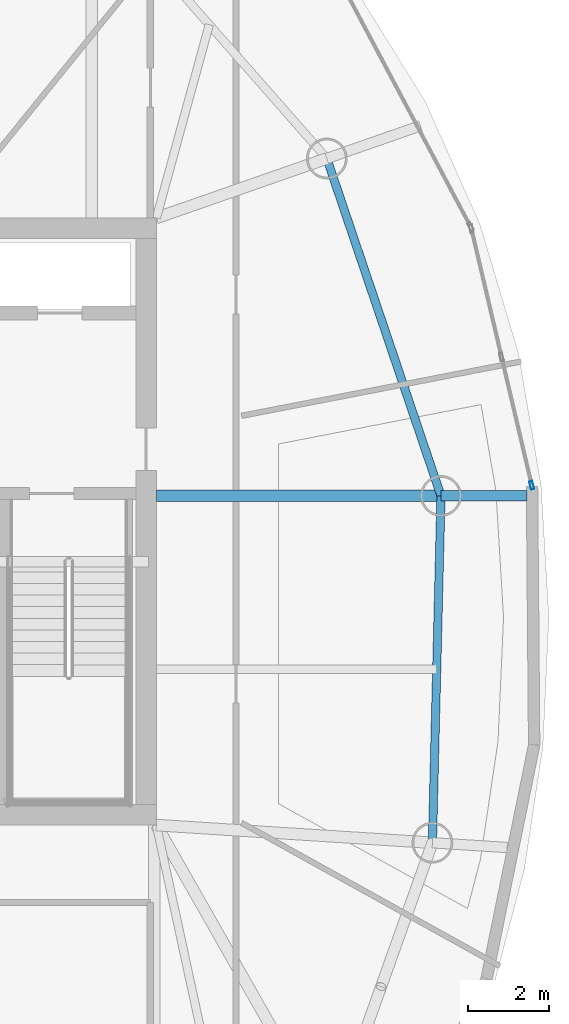
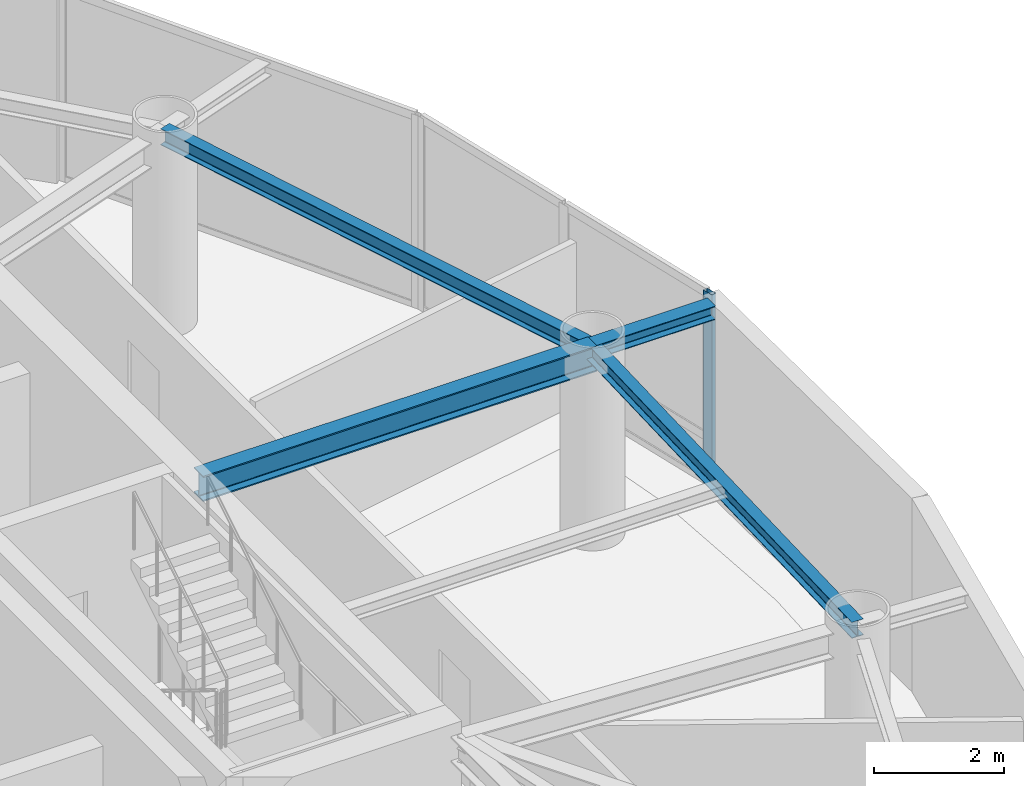
# One storey, part 9 of 21: 4 beams, 1 member, 1 element without a shape of its own.
"""IFC4 building model written with IfcOpenShell, lengths in metres."""

from ifc_helpers import new_model, si_unit, direction, frame, origin, origin_2d, place, context, subcontext, project, spatial, hollow_rectangle, i_section, extrude, material, layer, layer_set, material_profile, profile_set, type_object, element, aggregate, save


model = new_model("IFC4")

# Units and contexts
model_context = context("Model", 3, precision=1e-05, world=origin(), true_north=direction((0.0, 1.0)))
body_context = subcontext(model_context, "Body", "Model", "MODEL_VIEW")
ifc_project = project(units=[si_unit("LENGTHUNIT", "METRE"), si_unit("AREAUNIT", "SQUARE_METRE"), si_unit("VOLUMEUNIT", "CUBIC_METRE"), si_unit("PLANEANGLEUNIT", "RADIAN"), si_unit("MASSUNIT", "GRAM", prefix="KILO")], contexts=[model_context])

# Site, building, storey
site_placement = place(None, origin())
site = spatial("IfcSite", under=ifc_project, at=site_placement, CompositionType="ELEMENT")
building_placement = place(site_placement, origin())
building = spatial("IfcBuilding", under=site, at=building_placement, Name="Bramvorn Convention Spire", CompositionType="ELEMENT")
storey_placement = place(building_placement, frame((0.0, 0.0, 249.75)))
storey = spatial("IfcBuildingStorey", under=building, at=storey_placement, Name="L63", CompositionType="ELEMENT", Elevation=249.75)

# Beams
ifc_material_1 = material(Name="Steel CSA G40.21 Grade 350 (350W)", Category="steel")
ifc_material_profile_1 = material_profile(ifc_material_1, i_section(OverallWidth=0.25390625, OverallDepth=0.2529296875, WebThickness=0.008544921875, FlangeThickness=0.01416015625, FilletRadius=0.011962890625, at=origin_2d()))
ifc_profile_set_1 = profile_set([ifc_material_profile_1], Name="Steel CSA G40.21 Grade 350 (350W) - W250X73")
beam_type_1 = type_object("IfcBeamType", Name="BM-W250X73", PredefinedType="BEAM", material=ifc_profile_set_1)
beam_1_placement = place(storey_placement, frame((56.234619140625, 26.62939453125, 3.49853515625), z_axis=(1.0, 0.0, 0.0), x_axis=(0.0, 1.0, 0.0)))
element("IfcBeam", 1, at=beam_1_placement, inside=storey, type_object=beam_type_1, Name="L63 slab-edge cantilever tip beam MC04", PredefinedType="BEAM", context=body_context, shape_type="SweptSolid", body=[
    extrude(i_section(OverallWidth=0.25390625, OverallDepth=0.2529296875, WebThickness=0.008544921875, FlangeThickness=0.01416015625, FilletRadius=0.011962890625, at=origin_2d()), origin(), (0.0, 0.0, 1.0), 2.11181640625),
])
ifc_material_profile_2 = material_profile(ifc_material_1, i_section(OverallWidth=0.202880859375, OverallDepth=0.302978515625, WebThickness=0.007568359375, FlangeThickness=0.01318359375, FilletRadius=0.013916015625, at=origin_2d()))
ifc_profile_set_2 = profile_set([ifc_material_profile_2], Name="Steel CSA G40.21 Grade 350 (350W) - W310X60")
beam_type_2 = type_object("IfcBeamType", Name="BM-W310X60", PredefinedType="JOIST", material=ifc_profile_set_2)
beam_2_placement = place(storey_placement, frame((56.023681640625, 18.116455078125, 3.473388671875), z_axis=(0.024770853371, 0.999693155335, 0.0), x_axis=(-0.999693155335, 0.024770853371, 0.0)))
element("IfcBeam", 2, at=beam_2_placement, inside=storey, type_object=beam_type_2, Name="L63 mega-column ring beam 03", PredefinedType="JOIST", context=body_context, shape_type="SweptSolid", body=[
    extrude(i_section(OverallWidth=0.202880859375, OverallDepth=0.302978515625, WebThickness=0.007568359375, FlangeThickness=0.01318359375, FilletRadius=0.013916015625, at=origin_2d()), origin(), (0.0, 0.0, 1.0), 8.515625),
])
beam_3_placement = place(storey_placement, frame((56.234619140625, 26.62939453125, 3.473388671875), z_axis=(-0.320531023763, 0.947238018032, 0.0), x_axis=(-0.947238018032, -0.320531023763, 0.0)))
element("IfcBeam", 3, at=beam_3_placement, inside=storey, type_object=beam_type_2, Name="L63 mega-column ring beam 04", PredefinedType="JOIST", context=body_context, shape_type="SweptSolid", body=[
    extrude(i_section(OverallWidth=0.202880859375, OverallDepth=0.302978515625, WebThickness=0.007568359375, FlangeThickness=0.01318359375, FilletRadius=0.013916015625, at=origin_2d()), origin(), (0.0, 0.0, 1.0), 8.74169921875),
])
ifc_material_profile_3 = material_profile(ifc_material_1, i_section(OverallWidth=0.283935546875, OverallDepth=0.47607421875, WebThickness=0.014892578125, FlangeThickness=0.02392578125, FilletRadius=0.01806640625, at=origin_2d()))
ifc_profile_set_3 = profile_set([ifc_material_profile_3], Name="Steel CSA G40.21 Grade 350 (350W) - W460X158")
beam_type_3 = type_object("IfcBeamType", Name="BM-W460X158", PredefinedType="SPANDREL", material=ifc_profile_set_3)
beam_4_placement = place(storey_placement, frame((49.25, 26.62939453125, 3.386962890625), z_axis=(1.0, 0.0, 0.0), x_axis=(0.0, 1.0, 0.0)))
element("IfcBeam", 4, at=beam_4_placement, inside=storey, type_object=beam_type_3, Name="L63 radial floor girder MC04", PredefinedType="SPANDREL", context=body_context, shape_type="SweptSolid", body=[
    extrude(i_section(OverallWidth=0.283935546875, OverallDepth=0.47607421875, WebThickness=0.014892578125, FlangeThickness=0.02392578125, FilletRadius=0.01806640625, at=origin_2d()), origin(), (0.0, 0.0, 1.0), 6.984619140625),
])

# Curtain wall, member
ifc_material_2 = material(Name="Anodised Bronze Unitised Curtain Wall", Category="aluminium")
ifc_layer = layer(ifc_material_2, 0.179931640625)
ifc_layer_set = layer_set([ifc_layer], Name="Anodised Bronze Unitised Curtain Wall - CW-OFF-FRIT")
curtain_wall_type = type_object("IfcCurtainWallType", Name="CW-OFF-FRIT", PredefinedType="USERDEFINED", material=ifc_layer_set)
curtain_wall_placement = place(storey_placement, origin())
curtain_wall = element("IfcCurtainWall", 5, at=curtain_wall_placement, inside=storey, type_object=curtain_wall_type, Name="L63 fritted glass curtain wall 05", ObjectType="UNITISED CURTAIN WALL", PredefinedType="USERDEFINED")
ifc_material_3 = material(Name="Anodised Bronze Aluminium 6063-T6", Category="aluminium")
ifc_material_profile_4 = material_profile(ifc_material_3, hollow_rectangle(XDim=0.080078125, YDim=0.199951171875, WallThickness=0.00390625, InnerFilletRadius=0.0009765625, OuterFilletRadius=0.00390625, at=origin_2d()))
ifc_profile_set_4 = profile_set([ifc_material_profile_4], Name="Anodised Bronze Aluminium 6063-T6 - CWM80X200")
member_type = type_object("IfcMemberType", Name="CW-MUL-180", PredefinedType="MULLION", material=ifc_profile_set_4)
member_placement = place(storey_placement, frame((58.46142578125, 26.889892578125, 0.0), z_axis=(0.0, 0.0, 1.0), x_axis=(0.973407923513, 0.229078620658, 0.0)))
member = element("IfcMember", 6, at=member_placement, type_object=member_type, Name="CW3 mullion 3", PredefinedType="MULLION", context=body_context, shape_type="SweptSolid", body=[
    extrude(hollow_rectangle(XDim=0.080078125, YDim=0.199951171875, WallThickness=0.00390625, InnerFilletRadius=0.0009765625, OuterFilletRadius=0.00390625, at=origin_2d()), origin(), (0.0, 0.0, 1.0), 3.625),
])
aggregate(curtain_wall, [member])

save(model, "model.ifc")
